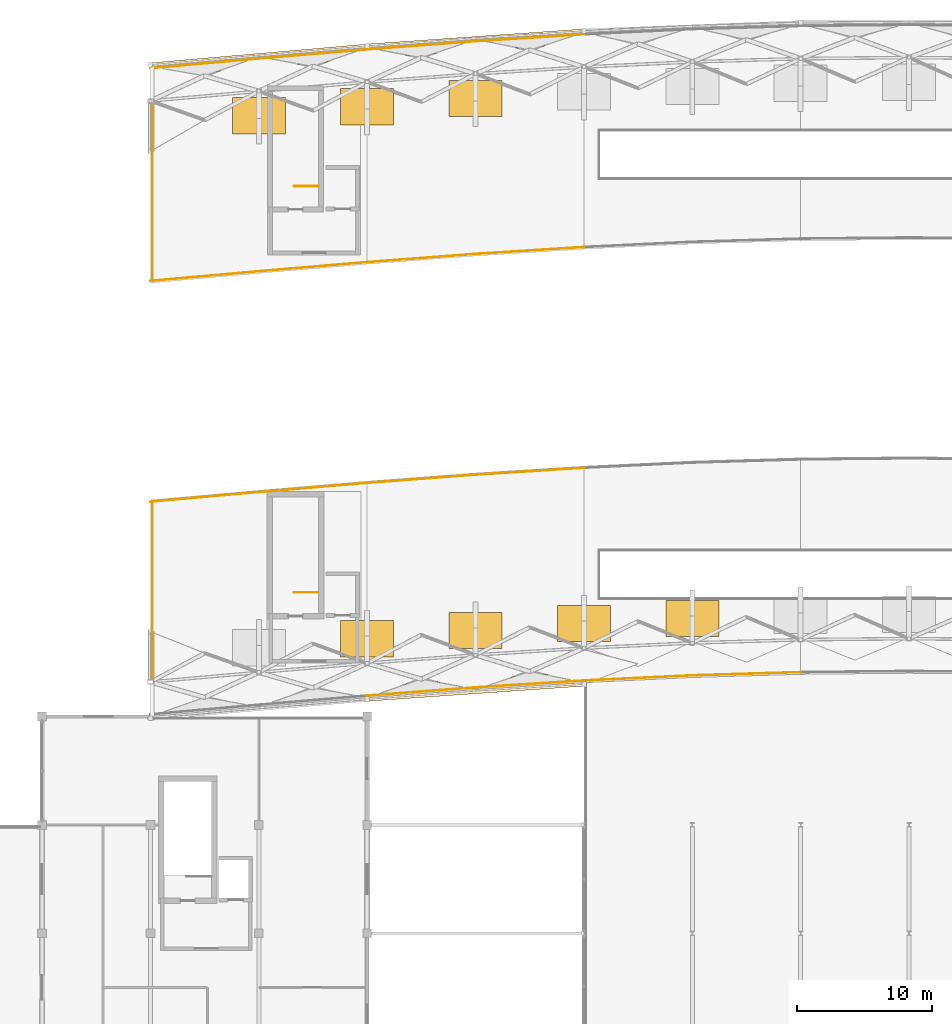
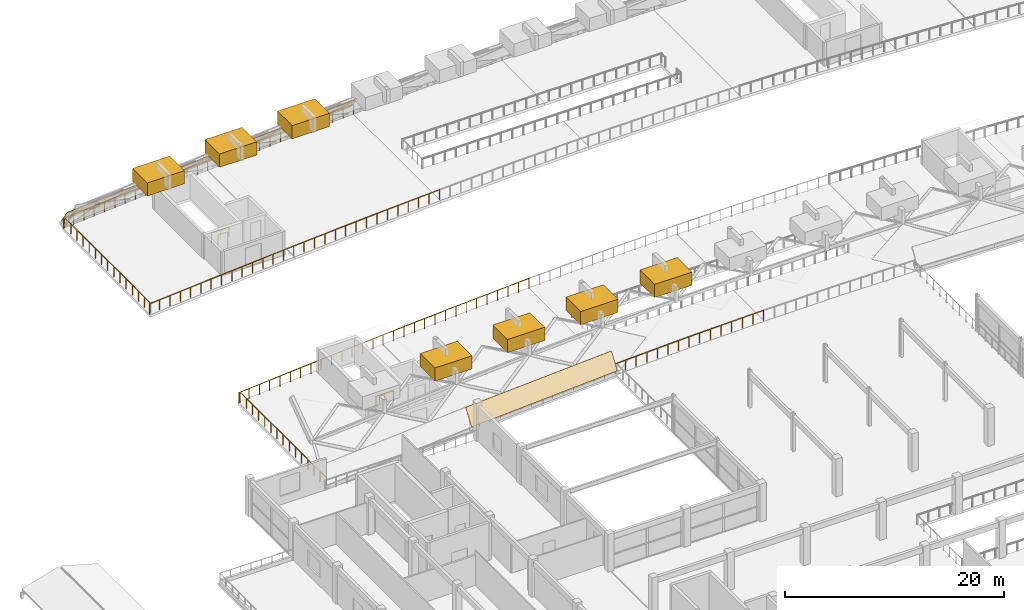
# One storey, part 61 of 67: 12 railings, 7 shading devices, 3 coverings.
"""IFC4 building model written with IfcOpenShell, lengths in metres."""

from ifc_helpers import new_model, si_unit, direction, frame, origin, origin_2d, place, context, subcontext, project, spatial, polyline, rectangle, circle, outline, extrude, material, layer, layer_set, type_object, element, save


model = new_model("IFC4")

# Units and contexts
model_context = context("Model", 3, precision=1e-05, world=origin(), true_north=direction((0.0, 1.0)))
body_context = subcontext(model_context, "Body", "Model", "MODEL_VIEW")
ifc_project = project(units=[si_unit("LENGTHUNIT", "METRE"), si_unit("AREAUNIT", "SQUARE_METRE"), si_unit("VOLUMEUNIT", "CUBIC_METRE"), si_unit("PLANEANGLEUNIT", "RADIAN"), si_unit("MASSUNIT", "GRAM", prefix="KILO")], contexts=[model_context])

# Site, building, storey
site_placement = place(None, origin())
site = spatial("IfcSite", under=ifc_project, at=site_placement, CompositionType="ELEMENT")
building_placement = place(site_placement, origin())
building = spatial("IfcBuilding", under=site, at=building_placement, Name="Kenh Van Central Station", CompositionType="ELEMENT")
storey_placement = place(building_placement, frame((0.0, 0.0, 10.800048828125)))
storey = spatial("IfcBuildingStorey", under=building, at=storey_placement, Name="L02", CompositionType="ELEMENT", Elevation=10.800048828125)

# Coverings
ifc_material_1 = material(Name="Standing-seam zinc-aluminium roofing", Category="aluminium")
ifc_layer = layer(ifc_material_1, 0.044921875, Name="Standing-seam zinc-aluminium roofing")
ifc_layer_set = layer_set([ifc_layer], Name="Standing-seam zinc-aluminium roofing")
covering_type = type_object("IfcCoveringType", Name="COV-ROOF-SEAM", PredefinedType="ROOFING", material=ifc_layer_set)
covering_1_placement = place(storey_placement, frame((32.0, 111.204345703125, 2.193603515625), z_axis=(-0.071946943803, 0.829104081069, 0.554445723251), x_axis=(0.996256030684, 0.086451843971, 0.0)))
element("IfcCovering", 1, at=covering_1_placement, inside=storey, type_object=covering_type, Name="Train shed springing curb roofing N1", PredefinedType="ROOFING", context=body_context, shape_type="SweptSolid", body=[
    extrude(outline(polyline([(0.0, 0.0), (16.06012862879939, 1.1102230246251565e-16), (16.151392733616685, 1.896870414067549), (0.09126410481729474, 1.896870414067549), (0.0, 0.0)])), origin(), (0.0, 0.0, -1.0), 0.044921875),
])
covering_2_placement = place(storey_placement, frame((48.0, 65.12841796875, 0.614990234375), z_axis=(0.057750881839, -0.829900623227, 0.554914219691), x_axis=(0.997587371326, 0.06942216187, 3.505039e-06)))
element("IfcCovering", 2, at=covering_2_placement, inside=storey, type_object=covering_type, Name="Train shed springing curb roofing S2", PredefinedType="ROOFING", context=body_context, shape_type="SweptSolid", body=[
    extrude(outline(polyline([(0.0, 0.0), (16.038701281129455, 1.1102230246251565e-16), (16.111976346887115, 1.8975146528300604), (0.07329201452764729, 1.8976498030291113), (0.0, 0.0)])), origin(), (0.0, 0.0, -1.0), 0.044921875),
])
covering_3_placement = place(storey_placement, frame((48.0, 112.5927734375, 2.193603515625), z_axis=(-0.057755135549, 0.82987076592, 0.554958427442), x_axis=(0.997587006531, 0.069427403821, 0.0)))
element("IfcCovering", 3, at=covering_3_placement, inside=storey, type_object=covering_type, Name="Train shed springing curb roofing N2", PredefinedType="ROOFING", context=body_context, shape_type="SweptSolid", body=[
    extrude(outline(polyline([(0.0, 0.0), (16.0387012814494, -1.1102230246251565e-16), (16.11199329661547, 1.8976498057085747), (0.07329201516607195, 1.8976498057085749), (0.0, 0.0)])), origin(), (0.0, 0.0, -1.0), 0.044921875),
])

# Railings
ifc_material_2 = material(Name="Champagne anodised aluminium", Category="aluminium")
railing_type_1 = type_object("IfcRailingType", Name="RAIL-CORE-GRD110", PredefinedType="GUARDRAIL", material=ifc_material_2)
for number, where, name in (
    (4, (44.39990234375, 73.14990234375, 0.0), "L02 ST-05 top well guard 1"),
    (5, (44.39990234375, 103.14990234375, 0.0), "L02 ST-07 top well guard 1"),
):
    element("IfcRailing", number, at=place(storey_placement, frame(where)), inside=storey, type_object=railing_type_1, Name=name, PredefinedType="GUARDRAIL", context=body_context, shape_type="SweptSolid", body=[
        extrude(circle(Radius=0.02392578125, at=origin_2d()), frame((0.0, 0.0, 1.076171875), z_axis=(-1.0, 0.0, 0.0), x_axis=(0.0, -1.0, 0.0)), (0.0, 0.0, 1.0), 1.7998046875),
        extrude(circle(Radius=0.02099609375, at=origin_2d()), origin(), (0.0, 0.0, 1.0), 1.052001953125),
        extrude(circle(Radius=0.02099609375, at=origin_2d()), frame((-0.89990234375, 0.0, 0.0)), (0.0, 0.0, 1.0), 1.052001953125),
        extrude(circle(Radius=0.02099609375, at=origin_2d()), frame((-1.7998046875, 0.0, 0.0)), (0.0, 0.0, 1.0), 1.052001953125),
    ])
railing_type_2 = type_object("IfcRailingType", Name="RAIL-TERR-GRD115", PredefinedType="GUARDRAIL", material=ifc_material_2)
railing_1_placement = place(storey_placement, frame((48.0, 65.538330078125, 0.0)))
element("IfcRailing", 6, at=railing_1_placement, inside=storey, type_object=railing_type_2, Name="L02 platform perimeter guardrail 02", PredefinedType="GUARDRAIL", context=body_context, shape_type="SweptSolid", body=[
    extrude(circle(Radius=0.02392578125, at=origin_2d()), frame((0.0, 0.0, 1.1259765625), z_axis=(0.997134485958, 0.075649302127, 0.0), x_axis=(-0.075649302127, 0.997134485958, 0.0)), (0.0, 0.0, 1.0), 8.02294921875),
    extrude(circle(Radius=0.02392578125, at=origin_2d()), frame((8.0, 0.60693359375, 1.1259765625), z_axis=(0.998001046855, 0.063197392951, 0.0), x_axis=(-0.063197392951, 0.998001046855, 0.0)), (0.0, 0.0, 1.0), 8.01611328125),
    extrude(circle(Radius=0.02099609375, at=origin_2d()), origin(), (0.0, 0.0, 1.0), 1.101806640625),
    extrude(circle(Radius=0.02099609375, at=origin_2d()), frame((1.142822265625, 0.086669921875, 0.0)), (0.0, 0.0, 1.0), 1.101806640625),
    extrude(circle(Radius=0.02099609375, at=origin_2d()), frame((2.28564453125, 0.17333984375, 0.0)), (0.0, 0.0, 1.0), 1.101806640625),
    extrude(circle(Radius=0.02099609375, at=origin_2d()), frame((3.428466796875, 0.260009765625, 0.0)), (0.0, 0.0, 1.0), 1.101806640625),
    extrude(circle(Radius=0.02099609375, at=origin_2d()), frame((4.571533203125, 0.346923828125, 0.0)), (0.0, 0.0, 1.0), 1.101806640625),
    extrude(circle(Radius=0.02099609375, at=origin_2d()), frame((5.71435546875, 0.43359375, 0.0)), (0.0, 0.0, 1.0), 1.101806640625),
    extrude(circle(Radius=0.02099609375, at=origin_2d()), frame((6.857177734375, 0.520263671875, 0.0)), (0.0, 0.0, 1.0), 1.101806640625),
    extrude(circle(Radius=0.02099609375, at=origin_2d()), frame((8.0, 0.60693359375, 0.0)), (0.0, 0.0, 1.0), 1.101806640625),
    extrude(circle(Radius=0.02099609375, at=origin_2d()), frame((9.142822265625, 0.67919921875, 0.0)), (0.0, 0.0, 1.0), 1.101806640625),
    extrude(circle(Radius=0.02099609375, at=origin_2d()), frame((10.28564453125, 0.751708984375, 0.0)), (0.0, 0.0, 1.0), 1.101806640625),
    extrude(circle(Radius=0.02099609375, at=origin_2d()), frame((11.428466796875, 0.823974609375, 0.0)), (0.0, 0.0, 1.0), 1.101806640625),
    extrude(circle(Radius=0.02099609375, at=origin_2d()), frame((12.571533203125, 0.896484375, 0.0)), (0.0, 0.0, 1.0), 1.101806640625),
    extrude(circle(Radius=0.02099609375, at=origin_2d()), frame((13.71435546875, 0.96875, 0.0)), (0.0, 0.0, 1.0), 1.101806640625),
    extrude(circle(Radius=0.02099609375, at=origin_2d()), frame((14.857177734375, 1.041259765625, 0.0)), (0.0, 0.0, 1.0), 1.101806640625),
    extrude(circle(Radius=0.02099609375, at=origin_2d()), frame((16.0, 1.113525390625, 0.0)), (0.0, 0.0, 1.0), 1.101806640625),
])
railing_2_placement = place(storey_placement, frame((64.0, 66.65185546875, 0.0)))
element("IfcRailing", 7, at=railing_2_placement, inside=storey, type_object=railing_type_2, Name="L02 platform perimeter guardrail 03", PredefinedType="GUARDRAIL", context=body_context, shape_type="SweptSolid", body=[
    extrude(circle(Radius=0.02392578125, at=origin_2d()), frame((0.0, 0.0, 1.1259765625), z_axis=(0.998865791667, 0.04761439107, 0.0), x_axis=(-0.04761439107, 0.998865791667, 0.0)), (0.0, 0.0, 1.0), 8.009033203125),
    extrude(circle(Radius=0.02392578125, at=origin_2d()), frame((8.0, 0.38134765625, 1.1259765625), z_axis=(0.999563048769, 0.029558611885, 0.0), x_axis=(-0.029558611885, 0.999563048769, 0.0)), (0.0, 0.0, 1.0), 8.00341796875),
    extrude(circle(Radius=0.02099609375, at=origin_2d()), origin(), (0.0, 0.0, 1.0), 1.101806640625),
    extrude(circle(Radius=0.02099609375, at=origin_2d()), frame((1.142822265625, 0.054443359375, 0.0)), (0.0, 0.0, 1.0), 1.101806640625),
    extrude(circle(Radius=0.02099609375, at=origin_2d()), frame((2.28564453125, 0.10888671875, 0.0)), (0.0, 0.0, 1.0), 1.101806640625),
    extrude(circle(Radius=0.02099609375, at=origin_2d()), frame((3.428466796875, 0.163330078125, 0.0)), (0.0, 0.0, 1.0), 1.101806640625),
    extrude(circle(Radius=0.02099609375, at=origin_2d()), frame((4.571533203125, 0.218017578125, 0.0)), (0.0, 0.0, 1.0), 1.101806640625),
    extrude(circle(Radius=0.02099609375, at=origin_2d()), frame((5.71435546875, 0.2724609375, 0.0)), (0.0, 0.0, 1.0), 1.101806640625),
    extrude(circle(Radius=0.02099609375, at=origin_2d()), frame((6.857177734375, 0.326904296875, 0.0)), (0.0, 0.0, 1.0), 1.101806640625),
    extrude(circle(Radius=0.02099609375, at=origin_2d()), frame((8.0, 0.38134765625, 0.0)), (0.0, 0.0, 1.0), 1.101806640625),
    extrude(circle(Radius=0.02099609375, at=origin_2d()), frame((9.142822265625, 0.4150390625, 0.0)), (0.0, 0.0, 1.0), 1.101806640625),
    extrude(circle(Radius=0.02099609375, at=origin_2d()), frame((10.28564453125, 0.448974609375, 0.0)), (0.0, 0.0, 1.0), 1.101806640625),
    extrude(circle(Radius=0.02099609375, at=origin_2d()), frame((11.428466796875, 0.482666015625, 0.0)), (0.0, 0.0, 1.0), 1.101806640625),
    extrude(circle(Radius=0.02099609375, at=origin_2d()), frame((12.571533203125, 0.5166015625, 0.0)), (0.0, 0.0, 1.0), 1.101806640625),
    extrude(circle(Radius=0.02099609375, at=origin_2d()), frame((13.71435546875, 0.55029296875, 0.0)), (0.0, 0.0, 1.0), 1.101806640625),
    extrude(circle(Radius=0.02099609375, at=origin_2d()), frame((14.857177734375, 0.584228515625, 0.0)), (0.0, 0.0, 1.0), 1.101806640625),
    extrude(circle(Radius=0.02099609375, at=origin_2d()), frame((16.0, 0.617919921875, 0.0)), (0.0, 0.0, 1.0), 1.101806640625),
])
railing_3_placement = place(storey_placement, frame((32.0, 79.85009765625, 0.0)))
element("IfcRailing", 8, at=railing_3_placement, inside=storey, type_object=railing_type_2, Name="L02 platform perimeter guardrail 08", PredefinedType="GUARDRAIL", context=body_context, shape_type="SweptSolid", body=[
    extrude(circle(Radius=0.02392578125, at=origin_2d()), frame((0.0, 0.0, 1.1259765625), z_axis=(0.996063818854, 0.088638979974, 0.0), x_axis=(-0.088638979974, 0.996063818854, 0.0)), (0.0, 0.0, 1.0), 8.031494140625),
    extrude(circle(Radius=0.02392578125, at=origin_2d()), frame((8.0, 0.7119140625, 1.1259765625), z_axis=(0.996446063383, 0.084233264025, 0.0), x_axis=(-0.084233264025, 0.996446063383, 0.0)), (0.0, 0.0, 1.0), 8.028564453125),
    extrude(circle(Radius=0.02099609375, at=origin_2d()), origin(), (0.0, 0.0, 1.0), 1.101806640625),
    extrude(circle(Radius=0.02099609375, at=origin_2d()), frame((1.142822265625, 0.101806640625, 0.0)), (0.0, 0.0, 1.0), 1.101806640625),
    extrude(circle(Radius=0.02099609375, at=origin_2d()), frame((2.28564453125, 0.203369140625, 0.0)), (0.0, 0.0, 1.0), 1.101806640625),
    extrude(circle(Radius=0.02099609375, at=origin_2d()), frame((3.428466796875, 0.30517578125, 0.0)), (0.0, 0.0, 1.0), 1.101806640625),
    extrude(circle(Radius=0.02099609375, at=origin_2d()), frame((4.571533203125, 0.40673828125, 0.0)), (0.0, 0.0, 1.0), 1.101806640625),
    extrude(circle(Radius=0.02099609375, at=origin_2d()), frame((5.71435546875, 0.508544921875, 0.0)), (0.0, 0.0, 1.0), 1.101806640625),
    extrude(circle(Radius=0.02099609375, at=origin_2d()), frame((6.857177734375, 0.610107421875, 0.0)), (0.0, 0.0, 1.0), 1.101806640625),
    extrude(circle(Radius=0.02099609375, at=origin_2d()), frame((8.0, 0.7119140625, 0.0)), (0.0, 0.0, 1.0), 1.101806640625),
    extrude(circle(Radius=0.02099609375, at=origin_2d()), frame((9.142822265625, 0.80859375, 0.0)), (0.0, 0.0, 1.0), 1.101806640625),
    extrude(circle(Radius=0.02099609375, at=origin_2d()), frame((10.28564453125, 0.905029296875, 0.0)), (0.0, 0.0, 1.0), 1.101806640625),
    extrude(circle(Radius=0.02099609375, at=origin_2d()), frame((11.428466796875, 1.001708984375, 0.0)), (0.0, 0.0, 1.0), 1.101806640625),
    extrude(circle(Radius=0.02099609375, at=origin_2d()), frame((12.571533203125, 1.098388671875, 0.0)), (0.0, 0.0, 1.0), 1.101806640625),
    extrude(circle(Radius=0.02099609375, at=origin_2d()), frame((13.71435546875, 1.195068359375, 0.0)), (0.0, 0.0, 1.0), 1.101806640625),
    extrude(circle(Radius=0.02099609375, at=origin_2d()), frame((14.857177734375, 1.29150390625, 0.0)), (0.0, 0.0, 1.0), 1.101806640625),
    extrude(circle(Radius=0.02099609375, at=origin_2d()), frame((16.0, 1.38818359375, 0.0)), (0.0, 0.0, 1.0), 1.101806640625),
])
railing_4_placement = place(storey_placement, frame((48.0, 81.23828125, 0.0)))
element("IfcRailing", 9, at=railing_4_placement, inside=storey, type_object=railing_type_2, Name="L02 platform perimeter guardrail 09", PredefinedType="GUARDRAIL", context=body_context, shape_type="SweptSolid", body=[
    extrude(circle(Radius=0.02392578125, at=origin_2d()), frame((0.0, 0.0, 1.1259765625), z_axis=(0.997134485958, 0.075649302127, 0.0), x_axis=(-0.075649302127, 0.997134485958, 0.0)), (0.0, 0.0, 1.0), 8.02294921875),
    extrude(circle(Radius=0.02392578125, at=origin_2d()), frame((8.0, 0.60693359375, 1.1259765625), z_axis=(0.998001046855, 0.063197392951, 0.0), x_axis=(-0.063197392951, 0.998001046855, 0.0)), (0.0, 0.0, 1.0), 8.01611328125),
    extrude(circle(Radius=0.02099609375, at=origin_2d()), origin(), (0.0, 0.0, 1.0), 1.101806640625),
    extrude(circle(Radius=0.02099609375, at=origin_2d()), frame((1.142822265625, 0.086669921875, 0.0)), (0.0, 0.0, 1.0), 1.101806640625),
    extrude(circle(Radius=0.02099609375, at=origin_2d()), frame((2.28564453125, 0.17333984375, 0.0)), (0.0, 0.0, 1.0), 1.101806640625),
    extrude(circle(Radius=0.02099609375, at=origin_2d()), frame((3.428466796875, 0.260009765625, 0.0)), (0.0, 0.0, 1.0), 1.101806640625),
    extrude(circle(Radius=0.02099609375, at=origin_2d()), frame((4.571533203125, 0.346923828125, 0.0)), (0.0, 0.0, 1.0), 1.101806640625),
    extrude(circle(Radius=0.02099609375, at=origin_2d()), frame((5.71435546875, 0.43359375, 0.0)), (0.0, 0.0, 1.0), 1.101806640625),
    extrude(circle(Radius=0.02099609375, at=origin_2d()), frame((6.857177734375, 0.520263671875, 0.0)), (0.0, 0.0, 1.0), 1.101806640625),
    extrude(circle(Radius=0.02099609375, at=origin_2d()), frame((8.0, 0.60693359375, 0.0)), (0.0, 0.0, 1.0), 1.101806640625),
    extrude(circle(Radius=0.02099609375, at=origin_2d()), frame((9.142822265625, 0.67919921875, 0.0)), (0.0, 0.0, 1.0), 1.101806640625),
    extrude(circle(Radius=0.02099609375, at=origin_2d()), frame((10.28564453125, 0.751708984375, 0.0)), (0.0, 0.0, 1.0), 1.101806640625),
    extrude(circle(Radius=0.02099609375, at=origin_2d()), frame((11.428466796875, 0.823974609375, 0.0)), (0.0, 0.0, 1.0), 1.101806640625),
    extrude(circle(Radius=0.02099609375, at=origin_2d()), frame((12.571533203125, 0.896484375, 0.0)), (0.0, 0.0, 1.0), 1.101806640625),
    extrude(circle(Radius=0.02099609375, at=origin_2d()), frame((13.71435546875, 0.96875, 0.0)), (0.0, 0.0, 1.0), 1.101806640625),
    extrude(circle(Radius=0.02099609375, at=origin_2d()), frame((14.857177734375, 1.041259765625, 0.0)), (0.0, 0.0, 1.0), 1.101806640625),
    extrude(circle(Radius=0.02099609375, at=origin_2d()), frame((16.0, 1.113525390625, 0.0)), (0.0, 0.0, 1.0), 1.101806640625),
])
railing_5_placement = place(storey_placement, frame((32.0, 96.14990234375, 0.0)))
element("IfcRailing", 10, at=railing_5_placement, inside=storey, type_object=railing_type_2, Name="L02 platform perimeter guardrail 15", PredefinedType="GUARDRAIL", context=body_context, shape_type="SweptSolid", body=[
    extrude(circle(Radius=0.02392578125, at=origin_2d()), frame((0.0, 0.0, 1.1259765625), z_axis=(0.99606113461, 0.088669138478, 0.0), x_axis=(-0.088669138478, 0.99606113461, 0.0)), (0.0, 0.0, 1.0), 8.03173828125),
    extrude(circle(Radius=0.02392578125, at=origin_2d()), frame((8.0, 0.712158203125, 1.1259765625), z_axis=(0.996446063383, 0.084233264025, 0.0), x_axis=(-0.084233264025, 0.996446063383, 0.0)), (0.0, 0.0, 1.0), 8.028564453125),
    extrude(circle(Radius=0.02099609375, at=origin_2d()), origin(), (0.0, 0.0, 1.0), 1.101806640625),
    extrude(circle(Radius=0.02099609375, at=origin_2d()), frame((1.142822265625, 0.101806640625, 0.0)), (0.0, 0.0, 1.0), 1.101806640625),
    extrude(circle(Radius=0.02099609375, at=origin_2d()), frame((2.28564453125, 0.203369140625, 0.0)), (0.0, 0.0, 1.0), 1.101806640625),
    extrude(circle(Radius=0.02099609375, at=origin_2d()), frame((3.428466796875, 0.30517578125, 0.0)), (0.0, 0.0, 1.0), 1.101806640625),
    extrude(circle(Radius=0.02099609375, at=origin_2d()), frame((4.571533203125, 0.406982421875, 0.0)), (0.0, 0.0, 1.0), 1.101806640625),
    extrude(circle(Radius=0.02099609375, at=origin_2d()), frame((5.71435546875, 0.5087890625, 0.0)), (0.0, 0.0, 1.0), 1.101806640625),
    extrude(circle(Radius=0.02099609375, at=origin_2d()), frame((6.857177734375, 0.6103515625, 0.0)), (0.0, 0.0, 1.0), 1.101806640625),
    extrude(circle(Radius=0.02099609375, at=origin_2d()), frame((8.0, 0.712158203125, 0.0)), (0.0, 0.0, 1.0), 1.101806640625),
    extrude(circle(Radius=0.02099609375, at=origin_2d()), frame((9.142822265625, 0.808837890625, 0.0)), (0.0, 0.0, 1.0), 1.101806640625),
    extrude(circle(Radius=0.02099609375, at=origin_2d()), frame((10.28564453125, 0.9052734375, 0.0)), (0.0, 0.0, 1.0), 1.101806640625),
    extrude(circle(Radius=0.02099609375, at=origin_2d()), frame((11.428466796875, 1.001953125, 0.0)), (0.0, 0.0, 1.0), 1.101806640625),
    extrude(circle(Radius=0.02099609375, at=origin_2d()), frame((12.571533203125, 1.0986328125, 0.0)), (0.0, 0.0, 1.0), 1.101806640625),
    extrude(circle(Radius=0.02099609375, at=origin_2d()), frame((13.71435546875, 1.1953125, 0.0)), (0.0, 0.0, 1.0), 1.101806640625),
    extrude(circle(Radius=0.02099609375, at=origin_2d()), frame((14.857177734375, 1.291748046875, 0.0)), (0.0, 0.0, 1.0), 1.101806640625),
    extrude(circle(Radius=0.02099609375, at=origin_2d()), frame((16.0, 1.388427734375, 0.0)), (0.0, 0.0, 1.0), 1.101806640625),
])
railing_6_placement = place(storey_placement, frame((48.0, 97.538330078125, 0.0)))
element("IfcRailing", 11, at=railing_6_placement, inside=storey, type_object=railing_type_2, Name="L02 platform perimeter guardrail 16", PredefinedType="GUARDRAIL", context=body_context, shape_type="SweptSolid", body=[
    extrude(circle(Radius=0.02392578125, at=origin_2d()), frame((0.0, 0.0, 1.1259765625), z_axis=(0.997134485958, 0.075649302127, 0.0), x_axis=(-0.075649302127, 0.997134485958, 0.0)), (0.0, 0.0, 1.0), 8.02294921875),
    extrude(circle(Radius=0.02392578125, at=origin_2d()), frame((8.0, 0.60693359375, 1.1259765625), z_axis=(0.998001046855, 0.063197392951, 0.0), x_axis=(-0.063197392951, 0.998001046855, 0.0)), (0.0, 0.0, 1.0), 8.01611328125),
    extrude(circle(Radius=0.02099609375, at=origin_2d()), origin(), (0.0, 0.0, 1.0), 1.101806640625),
    extrude(circle(Radius=0.02099609375, at=origin_2d()), frame((1.142822265625, 0.086669921875, 0.0)), (0.0, 0.0, 1.0), 1.101806640625),
    extrude(circle(Radius=0.02099609375, at=origin_2d()), frame((2.28564453125, 0.17333984375, 0.0)), (0.0, 0.0, 1.0), 1.101806640625),
    extrude(circle(Radius=0.02099609375, at=origin_2d()), frame((3.428466796875, 0.260009765625, 0.0)), (0.0, 0.0, 1.0), 1.101806640625),
    extrude(circle(Radius=0.02099609375, at=origin_2d()), frame((4.571533203125, 0.346923828125, 0.0)), (0.0, 0.0, 1.0), 1.101806640625),
    extrude(circle(Radius=0.02099609375, at=origin_2d()), frame((5.71435546875, 0.43359375, 0.0)), (0.0, 0.0, 1.0), 1.101806640625),
    extrude(circle(Radius=0.02099609375, at=origin_2d()), frame((6.857177734375, 0.520263671875, 0.0)), (0.0, 0.0, 1.0), 1.101806640625),
    extrude(circle(Radius=0.02099609375, at=origin_2d()), frame((8.0, 0.60693359375, 0.0)), (0.0, 0.0, 1.0), 1.101806640625),
    extrude(circle(Radius=0.02099609375, at=origin_2d()), frame((9.142822265625, 0.67919921875, 0.0)), (0.0, 0.0, 1.0), 1.101806640625),
    extrude(circle(Radius=0.02099609375, at=origin_2d()), frame((10.28564453125, 0.751708984375, 0.0)), (0.0, 0.0, 1.0), 1.101806640625),
    extrude(circle(Radius=0.02099609375, at=origin_2d()), frame((11.428466796875, 0.823974609375, 0.0)), (0.0, 0.0, 1.0), 1.101806640625),
    extrude(circle(Radius=0.02099609375, at=origin_2d()), frame((12.571533203125, 0.896484375, 0.0)), (0.0, 0.0, 1.0), 1.101806640625),
    extrude(circle(Radius=0.02099609375, at=origin_2d()), frame((13.71435546875, 0.96875, 0.0)), (0.0, 0.0, 1.0), 1.101806640625),
    extrude(circle(Radius=0.02099609375, at=origin_2d()), frame((14.857177734375, 1.041259765625, 0.0)), (0.0, 0.0, 1.0), 1.101806640625),
    extrude(circle(Radius=0.02099609375, at=origin_2d()), frame((16.0, 1.113525390625, 0.0)), (0.0, 0.0, 1.0), 1.101806640625),
])
railing_7_placement = place(storey_placement, frame((32.0, 111.85009765625, 0.0)))
element("IfcRailing", 12, at=railing_7_placement, inside=storey, type_object=railing_type_2, Name="L02 platform perimeter guardrail 22", PredefinedType="GUARDRAIL", context=body_context, shape_type="SweptSolid", body=[
    extrude(circle(Radius=0.02392578125, at=origin_2d()), frame((0.0, 0.0, 1.1259765625), z_axis=(0.996063818854, 0.088638979974, 0.0), x_axis=(-0.088638979974, 0.996063818854, 0.0)), (0.0, 0.0, 1.0), 8.031494140625),
    extrude(circle(Radius=0.02392578125, at=origin_2d()), frame((8.0, 0.7119140625, 1.1259765625), z_axis=(0.996446063383, 0.084233264025, 0.0), x_axis=(-0.084233264025, 0.996446063383, 0.0)), (0.0, 0.0, 1.0), 8.028564453125),
    extrude(circle(Radius=0.02099609375, at=origin_2d()), origin(), (0.0, 0.0, 1.0), 1.101806640625),
    extrude(circle(Radius=0.02099609375, at=origin_2d()), frame((1.142822265625, 0.101806640625, 0.0)), (0.0, 0.0, 1.0), 1.101806640625),
    extrude(circle(Radius=0.02099609375, at=origin_2d()), frame((2.28564453125, 0.203369140625, 0.0)), (0.0, 0.0, 1.0), 1.101806640625),
    extrude(circle(Radius=0.02099609375, at=origin_2d()), frame((3.428466796875, 0.30517578125, 0.0)), (0.0, 0.0, 1.0), 1.101806640625),
    extrude(circle(Radius=0.02099609375, at=origin_2d()), frame((4.571533203125, 0.40673828125, 0.0)), (0.0, 0.0, 1.0), 1.101806640625),
    extrude(circle(Radius=0.02099609375, at=origin_2d()), frame((5.71435546875, 0.508544921875, 0.0)), (0.0, 0.0, 1.0), 1.101806640625),
    extrude(circle(Radius=0.02099609375, at=origin_2d()), frame((6.857177734375, 0.610107421875, 0.0)), (0.0, 0.0, 1.0), 1.101806640625),
    extrude(circle(Radius=0.02099609375, at=origin_2d()), frame((8.0, 0.7119140625, 0.0)), (0.0, 0.0, 1.0), 1.101806640625),
    extrude(circle(Radius=0.02099609375, at=origin_2d()), frame((9.142822265625, 0.80859375, 0.0)), (0.0, 0.0, 1.0), 1.101806640625),
    extrude(circle(Radius=0.02099609375, at=origin_2d()), frame((10.28564453125, 0.905029296875, 0.0)), (0.0, 0.0, 1.0), 1.101806640625),
    extrude(circle(Radius=0.02099609375, at=origin_2d()), frame((11.428466796875, 1.001708984375, 0.0)), (0.0, 0.0, 1.0), 1.101806640625),
    extrude(circle(Radius=0.02099609375, at=origin_2d()), frame((12.571533203125, 1.098388671875, 0.0)), (0.0, 0.0, 1.0), 1.101806640625),
    extrude(circle(Radius=0.02099609375, at=origin_2d()), frame((13.71435546875, 1.195068359375, 0.0)), (0.0, 0.0, 1.0), 1.101806640625),
    extrude(circle(Radius=0.02099609375, at=origin_2d()), frame((14.857177734375, 1.29150390625, 0.0)), (0.0, 0.0, 1.0), 1.101806640625),
    extrude(circle(Radius=0.02099609375, at=origin_2d()), frame((16.0, 1.38818359375, 0.0)), (0.0, 0.0, 1.0), 1.101806640625),
])
railing_8_placement = place(storey_placement, frame((48.0, 113.23828125, 0.0)))
element("IfcRailing", 13, at=railing_8_placement, inside=storey, type_object=railing_type_2, Name="L02 platform perimeter guardrail 23", PredefinedType="GUARDRAIL", context=body_context, shape_type="SweptSolid", body=[
    extrude(circle(Radius=0.02392578125, at=origin_2d()), frame((0.0, 0.0, 1.1259765625), z_axis=(0.997134485958, 0.075649302127, 0.0), x_axis=(-0.075649302127, 0.997134485958, 0.0)), (0.0, 0.0, 1.0), 8.02294921875),
    extrude(circle(Radius=0.02392578125, at=origin_2d()), frame((8.0, 0.60693359375, 1.1259765625), z_axis=(0.998001046855, 0.063197392951, 0.0), x_axis=(-0.063197392951, 0.998001046855, 0.0)), (0.0, 0.0, 1.0), 8.01611328125),
    extrude(circle(Radius=0.02099609375, at=origin_2d()), origin(), (0.0, 0.0, 1.0), 1.101806640625),
    extrude(circle(Radius=0.02099609375, at=origin_2d()), frame((1.142822265625, 0.086669921875, 0.0)), (0.0, 0.0, 1.0), 1.101806640625),
    extrude(circle(Radius=0.02099609375, at=origin_2d()), frame((2.28564453125, 0.17333984375, 0.0)), (0.0, 0.0, 1.0), 1.101806640625),
    extrude(circle(Radius=0.02099609375, at=origin_2d()), frame((3.428466796875, 0.260009765625, 0.0)), (0.0, 0.0, 1.0), 1.101806640625),
    extrude(circle(Radius=0.02099609375, at=origin_2d()), frame((4.571533203125, 0.346923828125, 0.0)), (0.0, 0.0, 1.0), 1.101806640625),
    extrude(circle(Radius=0.02099609375, at=origin_2d()), frame((5.71435546875, 0.43359375, 0.0)), (0.0, 0.0, 1.0), 1.101806640625),
    extrude(circle(Radius=0.02099609375, at=origin_2d()), frame((6.857177734375, 0.520263671875, 0.0)), (0.0, 0.0, 1.0), 1.101806640625),
    extrude(circle(Radius=0.02099609375, at=origin_2d()), frame((8.0, 0.60693359375, 0.0)), (0.0, 0.0, 1.0), 1.101806640625),
    extrude(circle(Radius=0.02099609375, at=origin_2d()), frame((9.142822265625, 0.67919921875, 0.0)), (0.0, 0.0, 1.0), 1.101806640625),
    extrude(circle(Radius=0.02099609375, at=origin_2d()), frame((10.28564453125, 0.751708984375, 0.0)), (0.0, 0.0, 1.0), 1.101806640625),
    extrude(circle(Radius=0.02099609375, at=origin_2d()), frame((11.428466796875, 0.823974609375, 0.0)), (0.0, 0.0, 1.0), 1.101806640625),
    extrude(circle(Radius=0.02099609375, at=origin_2d()), frame((12.571533203125, 0.896484375, 0.0)), (0.0, 0.0, 1.0), 1.101806640625),
    extrude(circle(Radius=0.02099609375, at=origin_2d()), frame((13.71435546875, 0.96875, 0.0)), (0.0, 0.0, 1.0), 1.101806640625),
    extrude(circle(Radius=0.02099609375, at=origin_2d()), frame((14.857177734375, 1.041259765625, 0.0)), (0.0, 0.0, 1.0), 1.101806640625),
    extrude(circle(Radius=0.02099609375, at=origin_2d()), frame((16.0, 1.113525390625, 0.0)), (0.0, 0.0, 1.0), 1.101806640625),
])
railing_9_placement = place(storey_placement, frame((32.14990234375, 64.16357421875, 0.0)))
element("IfcRailing", 14, at=railing_9_placement, inside=storey, type_object=railing_type_2, Name="L02 platform end guardrail 29", PredefinedType="GUARDRAIL", context=body_context, shape_type="SweptSolid", body=[
    extrude(circle(Radius=0.02392578125, at=origin_2d()), frame((0.0, 0.0, 1.1259765625), z_axis=(0.0, 1.0, 0.0), x_axis=(-1.0, 0.0, 0.0)), (0.0, 0.0, 1.0), 15.699951171875),
    extrude(circle(Radius=0.02099609375, at=origin_2d()), origin(), (0.0, 0.0, 1.0), 1.101806640625),
    extrude(circle(Radius=0.02099609375, at=origin_2d()), frame((0.0, 1.121337890625, 0.0)), (0.0, 0.0, 1.0), 1.101806640625),
    extrude(circle(Radius=0.02099609375, at=origin_2d()), frame((0.0, 2.242919921875, 0.0)), (0.0, 0.0, 1.0), 1.101806640625),
    extrude(circle(Radius=0.02099609375, at=origin_2d()), frame((0.0, 3.3642578125, 0.0)), (0.0, 0.0, 1.0), 1.101806640625),
    extrude(circle(Radius=0.02099609375, at=origin_2d()), frame((0.0, 4.485595703125, 0.0)), (0.0, 0.0, 1.0), 1.101806640625),
    extrude(circle(Radius=0.02099609375, at=origin_2d()), frame((0.0, 5.607177734375, 0.0)), (0.0, 0.0, 1.0), 1.101806640625),
    extrude(circle(Radius=0.02099609375, at=origin_2d()), frame((0.0, 6.728515625, 0.0)), (0.0, 0.0, 1.0), 1.101806640625),
    extrude(circle(Radius=0.02099609375, at=origin_2d()), frame((0.0, 7.85009765625, 0.0)), (0.0, 0.0, 1.0), 1.101806640625),
    extrude(circle(Radius=0.02099609375, at=origin_2d()), frame((0.0, 8.971435546875, 0.0)), (0.0, 0.0, 1.0), 1.101806640625),
    extrude(circle(Radius=0.02099609375, at=origin_2d()), frame((0.0, 10.0927734375, 0.0)), (0.0, 0.0, 1.0), 1.101806640625),
    extrude(circle(Radius=0.02099609375, at=origin_2d()), frame((0.0, 11.21435546875, 0.0)), (0.0, 0.0, 1.0), 1.101806640625),
    extrude(circle(Radius=0.02099609375, at=origin_2d()), frame((0.0, 12.335693359375, 0.0)), (0.0, 0.0, 1.0), 1.101806640625),
    extrude(circle(Radius=0.02099609375, at=origin_2d()), frame((0.0, 13.45703125, 0.0)), (0.0, 0.0, 1.0), 1.101806640625),
    extrude(circle(Radius=0.02099609375, at=origin_2d()), frame((0.0, 14.57861328125, 0.0)), (0.0, 0.0, 1.0), 1.101806640625),
    extrude(circle(Radius=0.02099609375, at=origin_2d()), frame((0.0, 15.699951171875, 0.0)), (0.0, 0.0, 1.0), 1.101806640625),
])
railing_10_placement = place(storey_placement, frame((32.14990234375, 96.16357421875, 0.0)))
element("IfcRailing", 15, at=railing_10_placement, inside=storey, type_object=railing_type_2, Name="L02 platform end guardrail 30", PredefinedType="GUARDRAIL", context=body_context, shape_type="SweptSolid", body=[
    extrude(circle(Radius=0.02392578125, at=origin_2d()), frame((0.0, 0.0, 1.1259765625), z_axis=(0.0, 1.0, 0.0), x_axis=(-1.0, 0.0, 0.0)), (0.0, 0.0, 1.0), 15.699951171875),
    extrude(circle(Radius=0.02099609375, at=origin_2d()), origin(), (0.0, 0.0, 1.0), 1.101806640625),
    extrude(circle(Radius=0.02099609375, at=origin_2d()), frame((0.0, 1.121337890625, 0.0)), (0.0, 0.0, 1.0), 1.101806640625),
    extrude(circle(Radius=0.02099609375, at=origin_2d()), frame((0.0, 2.242919921875, 0.0)), (0.0, 0.0, 1.0), 1.101806640625),
    extrude(circle(Radius=0.02099609375, at=origin_2d()), frame((0.0, 3.3642578125, 0.0)), (0.0, 0.0, 1.0), 1.101806640625),
    extrude(circle(Radius=0.02099609375, at=origin_2d()), frame((0.0, 4.485595703125, 0.0)), (0.0, 0.0, 1.0), 1.101806640625),
    extrude(circle(Radius=0.02099609375, at=origin_2d()), frame((0.0, 5.607177734375, 0.0)), (0.0, 0.0, 1.0), 1.101806640625),
    extrude(circle(Radius=0.02099609375, at=origin_2d()), frame((0.0, 6.728515625, 0.0)), (0.0, 0.0, 1.0), 1.101806640625),
    extrude(circle(Radius=0.02099609375, at=origin_2d()), frame((0.0, 7.85009765625, 0.0)), (0.0, 0.0, 1.0), 1.101806640625),
    extrude(circle(Radius=0.02099609375, at=origin_2d()), frame((0.0, 8.971435546875, 0.0)), (0.0, 0.0, 1.0), 1.101806640625),
    extrude(circle(Radius=0.02099609375, at=origin_2d()), frame((0.0, 10.0927734375, 0.0)), (0.0, 0.0, 1.0), 1.101806640625),
    extrude(circle(Radius=0.02099609375, at=origin_2d()), frame((0.0, 11.21435546875, 0.0)), (0.0, 0.0, 1.0), 1.101806640625),
    extrude(circle(Radius=0.02099609375, at=origin_2d()), frame((0.0, 12.335693359375, 0.0)), (0.0, 0.0, 1.0), 1.101806640625),
    extrude(circle(Radius=0.02099609375, at=origin_2d()), frame((0.0, 13.45703125, 0.0)), (0.0, 0.0, 1.0), 1.101806640625),
    extrude(circle(Radius=0.02099609375, at=origin_2d()), frame((0.0, 14.57861328125, 0.0)), (0.0, 0.0, 1.0), 1.101806640625),
    extrude(circle(Radius=0.02099609375, at=origin_2d()), frame((0.0, 15.699951171875, 0.0)), (0.0, 0.0, 1.0), 1.101806640625),
])

# Shading devices
shading_device_type = type_object("IfcShadingDeviceType", Name="SHD-LOUVRE-JAL", PredefinedType="JALOUSIE", material=ifc_material_2)
for number, where, z_axis, x_axis, name in (
    (16, (40.0, 108.34228515625, 4.421875), (0.0, 0.0, 1.0), (1.0, 0.0, 0.0), "Vault monsoon ventilation louvre 05"),
    (17, (48.0, 69.75146484375, 4.421875), (0.0, 0.0, 1.0), (1.0, 0.0, 0.0), "Vault monsoon ventilation louvre 07"),
    (18, (48.0, 109.0166015625, 4.421875), (0.0, 0.0, 1.0), (1.0, 0.0, 0.0), "Vault monsoon ventilation louvre 08"),
    (19, (56.0, 70.3564453125, 4.421875), (0.0, 0.0, 1.0), (1.0, 0.0, 0.0), "Vault monsoon ventilation louvre 10"),
    (20, (56.0, 109.621337890625, 4.421875), (0.0, 0.0, 1.0), (1.0, 0.0, 0.0), "Vault monsoon ventilation louvre 13"),
    (21, (64.0, 70.861572265625, 4.421875), (0.0, 0.0, 1.0), (1.0, 0.0, 0.0), "Vault monsoon ventilation louvre 15"),
    (22, (72.0, 71.241455078125, 4.421875), (0.0, 0.0, 1.0), (1.0, 0.0, 0.0), "Vault monsoon ventilation louvre 18"),
):
    element("IfcShadingDevice", number, at=place(storey_placement, frame(where, z_axis=z_axis, x_axis=x_axis)), inside=storey, type_object=shading_device_type, Name=name, PredefinedType="JALOUSIE", context=body_context, shape_type="SweptSolid", body=[
        extrude(rectangle(XDim=3.919921875, YDim=2.67626953125, at=origin_2d()), origin(), (0.0, 0.0, 1.0), 1.466796875),
    ])

save(model, "model.ifc")
